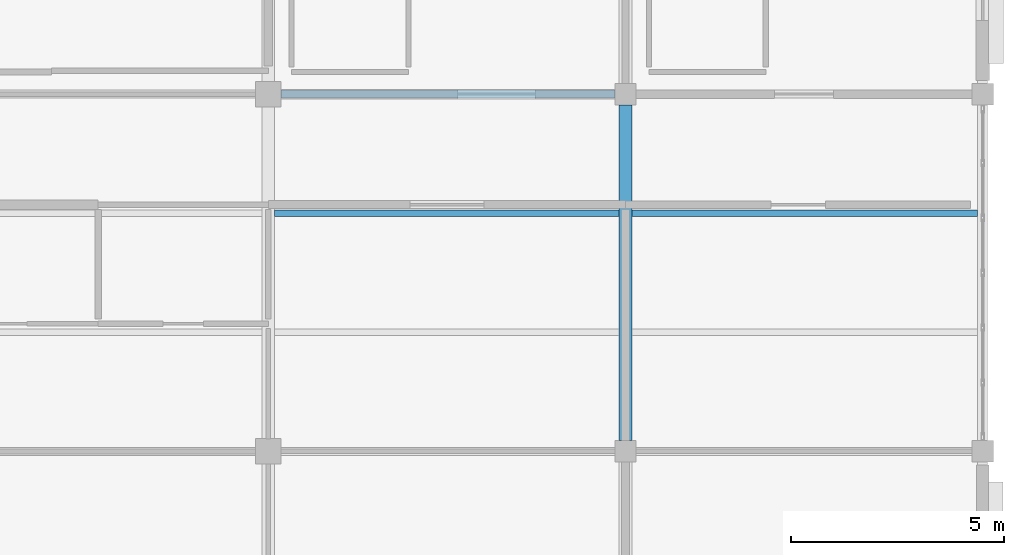
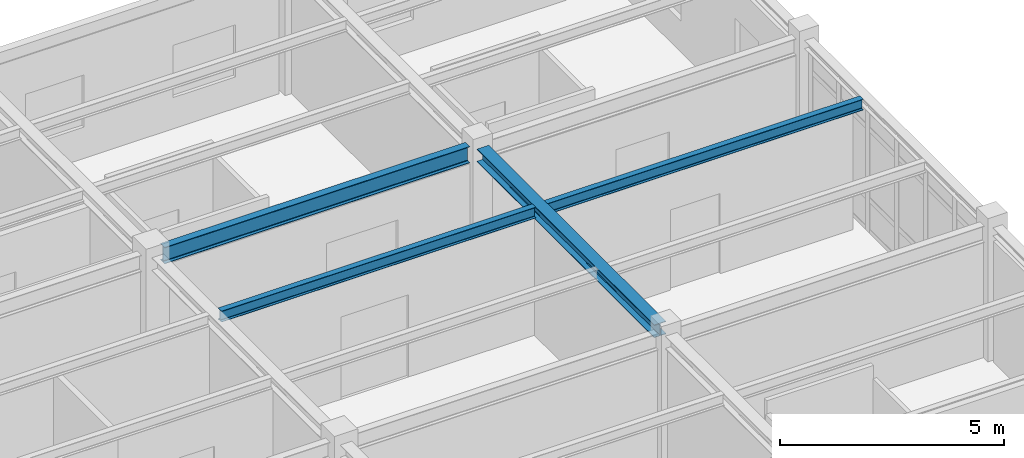
# One storey, part 41 of 86: 4 beams.
"""IFC4 building model written with IfcOpenShell, lengths in metres."""

from ifc_helpers import new_model, si_unit, direction, frame, origin, origin_2d, place, context, subcontext, project, spatial, i_section, extrude, material, material_profile, profile_set, type_object, element, save


model = new_model("IFC4")

# Units and contexts
model_context = context("Model", 3, precision=1e-05, world=origin(), true_north=direction((0.0, 1.0)))
body_context = subcontext(model_context, "Body", "Model", "MODEL_VIEW")
ifc_project = project(units=[si_unit("LENGTHUNIT", "METRE"), si_unit("AREAUNIT", "SQUARE_METRE"), si_unit("VOLUMEUNIT", "CUBIC_METRE"), si_unit("PLANEANGLEUNIT", "RADIAN"), si_unit("MASSUNIT", "GRAM", prefix="KILO")], contexts=[model_context])

# Site, building, storey
site_placement = place(None, origin())
site = spatial("IfcSite", under=ifc_project, at=site_placement, CompositionType="ELEMENT")
building_placement = place(site_placement, origin())
building = spatial("IfcBuilding", under=site, at=building_placement, Name="Bramfleet General Hospital", CompositionType="ELEMENT")
storey_placement = place(building_placement, frame((0.0, 0.0, 18.60009765625)))
storey = spatial("IfcBuildingStorey", under=building, at=storey_placement, Name="L04", CompositionType="ELEMENT", Elevation=18.60009765625)

# Beams
ifc_material = material(Name="Steel S355", Category="steel")
ifc_material_profile_1 = material_profile(ifc_material, i_section(OverallWidth=0.300048828125, OverallDepth=0.35009765625, WebThickness=0.010009765625, FlangeThickness=0.017578125, FilletRadius=0.027099609375, at=origin_2d()), Name="HEA 360")
ifc_profile_set_1 = profile_set([ifc_material_profile_1], Name="Steel S355")
beam_type_1 = type_object("IfcBeamType", Name="BM-HEA360", PredefinedType="BEAM", material=ifc_profile_set_1)
beam_1_placement = place(storey_placement, frame((159.60009765625, 101.050048828125, 3.434814453125), z_axis=(0.0, 1.0, 0.0), x_axis=(-1.0, 0.0, 0.0)))
element("IfcBeam", 1, at=beam_1_placement, inside=storey, type_object=beam_type_1, Name="L04 Grid Beam Y 19-12", PredefinedType="BEAM", context=body_context, shape_type="SweptSolid", body=[
    extrude(i_section(OverallWidth=0.300048828125, OverallDepth=0.35009765625, WebThickness=0.010009765625, FlangeThickness=0.017578125, FilletRadius=0.027099609375, at=origin_2d()), origin(), (0.0, 0.0, 1.0), 7.89990234375),
])
ifc_material_profile_2 = material_profile(ifc_material, i_section(OverallWidth=0.14990234375, OverallDepth=0.300048828125, WebThickness=0.007080078125, FlangeThickness=0.0107421875, FilletRadius=0.014892578125, at=origin_2d()), Name="IPE 300")
ifc_profile_set_2 = profile_set([ifc_material_profile_2], Name="Steel S355")
beam_type_2 = type_object("IfcBeamType", Name="BM-IPE300", PredefinedType="JOIST", material=ifc_profile_set_2)
beam_2_placement = place(storey_placement, frame((151.35009765625, 106.39990234375, 3.469970703125), z_axis=(1.0, 0.0, 0.0), x_axis=(0.0, 1.0, 0.0)))
element("IfcBeam", 2, at=beam_2_placement, inside=storey, type_object=beam_type_2, Name="L04 Secondary Joist 18-12-2", PredefinedType="JOIST", context=body_context, shape_type="SweptSolid", body=[
    extrude(i_section(OverallWidth=0.14990234375, OverallDepth=0.300048828125, WebThickness=0.007080078125, FlangeThickness=0.0107421875, FilletRadius=0.014892578125, at=origin_2d()), origin(), (0.0, 0.0, 1.0), 8.099853515625),
])
beam_3_placement = place(storey_placement, frame((159.75, 106.39990234375, 3.4599609375), z_axis=(1.0, 0.0, 0.0), x_axis=(0.0, 1.0, 0.0)))
element("IfcBeam", 3, at=beam_3_placement, inside=storey, type_object=beam_type_2, Name="L04 Secondary Joist 19-12-2", PredefinedType="JOIST", context=body_context, shape_type="SweptSolid", body=[
    extrude(i_section(OverallWidth=0.14990234375, OverallDepth=0.300048828125, WebThickness=0.007080078125, FlangeThickness=0.0107421875, FilletRadius=0.014892578125, at=origin_2d()), origin(), (0.0, 0.0, 1.0), 8.1298828125),
])
ifc_material_profile_3 = material_profile(ifc_material, i_section(OverallWidth=0.18994140625, OverallDepth=0.449951171875, WebThickness=0.009521484375, FlangeThickness=0.0146484375, FilletRadius=0.02099609375, at=origin_2d()), Name="IPE 450")
ifc_profile_set_3 = profile_set([ifc_material_profile_3], Name="Steel S355")
beam_type_3 = type_object("IfcBeamType", Name="BM-IPE450", PredefinedType="BEAM", material=ifc_profile_set_3)
beam_4_placement = place(storey_placement, frame((151.5, 109.199951171875, 3.39501953125), z_axis=(1.0, 0.0, 0.0), x_axis=(0.0, 1.0, 0.0)))
element("IfcBeam", 4, at=beam_4_placement, inside=storey, type_object=beam_type_3, Name="L04 Grid Beam X 18-13", PredefinedType="BEAM", context=body_context, shape_type="SweptSolid", body=[
    extrude(i_section(OverallWidth=0.18994140625, OverallDepth=0.449951171875, WebThickness=0.009521484375, FlangeThickness=0.0146484375, FilletRadius=0.02099609375, at=origin_2d()), origin(), (0.0, 0.0, 1.0), 7.85009765625),
])

save(model, "model.ifc")
